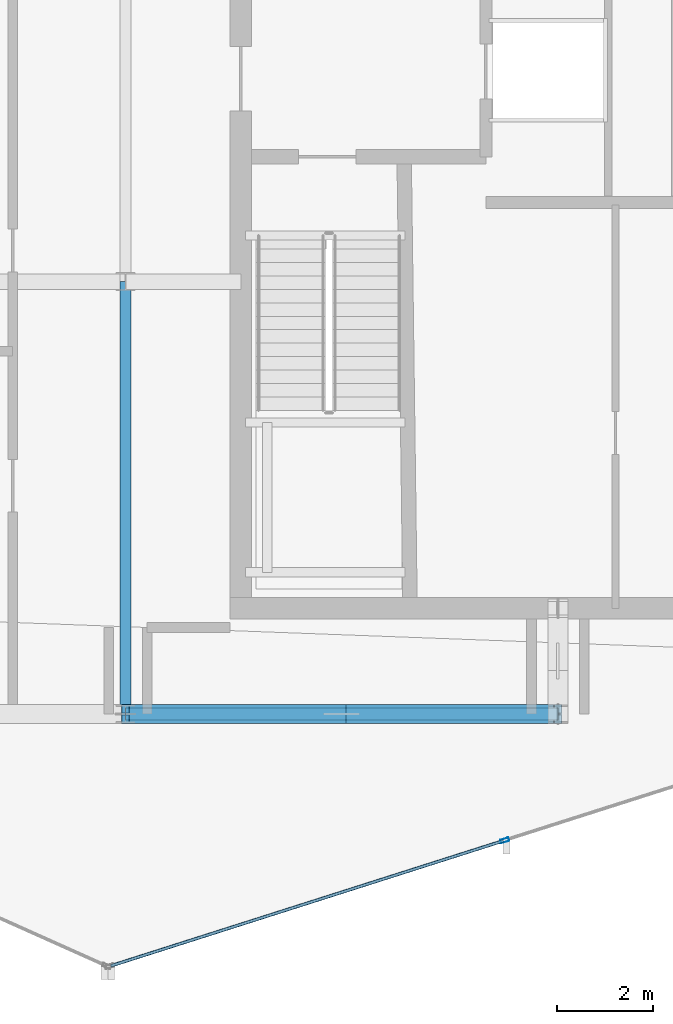
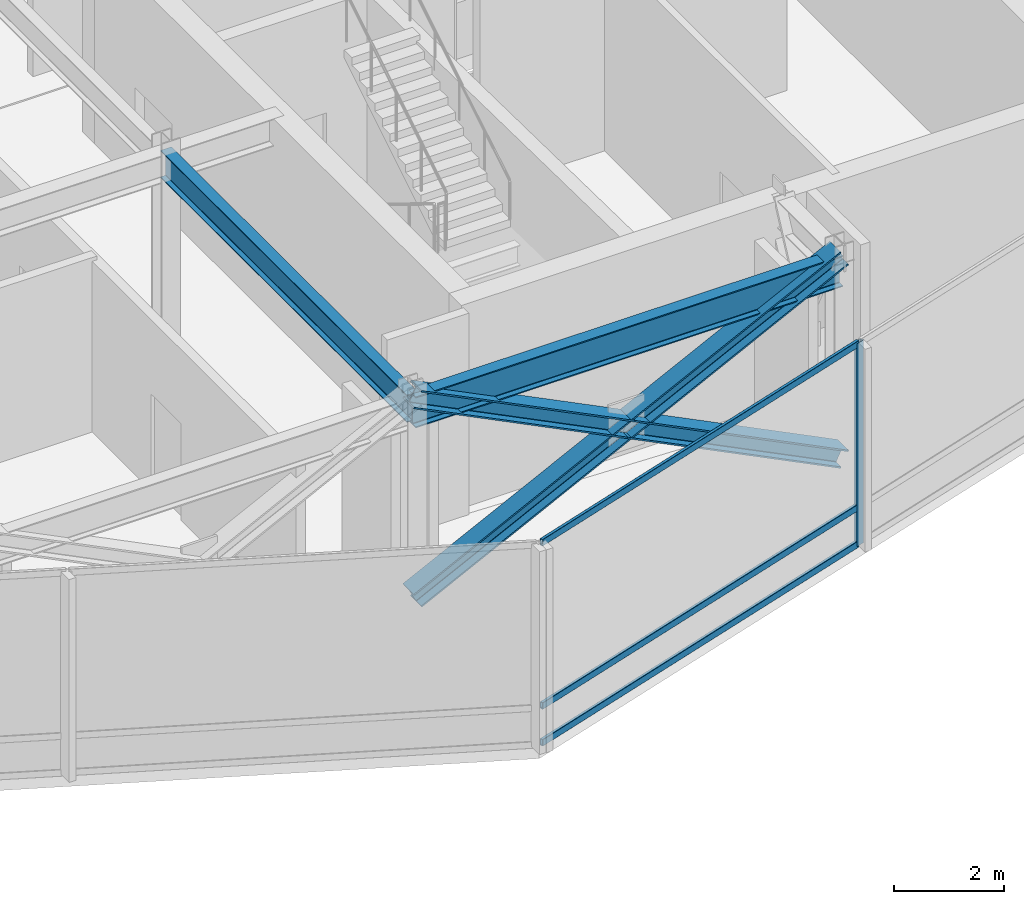
# One storey, part 4 of 23: 7 members, 2 beams, 1 element without a shape of its own.
"""IFC4 building model written with IfcOpenShell, lengths in metres."""

from ifc_helpers import new_model, si_unit, direction, frame, origin, origin_2d, place, context, subcontext, project, spatial, hollow_rectangle, i_section, extrude, material, layer, layer_set, material_profile, profile_set, type_object, element, aggregate, save


model = new_model("IFC4")

# Units and contexts
model_context = context("Model", 3, precision=1e-05, world=origin(), true_north=direction((0.0, 1.0)))
body_context = subcontext(model_context, "Body", "Model", "MODEL_VIEW")
ifc_project = project(units=[si_unit("LENGTHUNIT", "METRE"), si_unit("AREAUNIT", "SQUARE_METRE"), si_unit("VOLUMEUNIT", "CUBIC_METRE"), si_unit("PLANEANGLEUNIT", "RADIAN"), si_unit("MASSUNIT", "GRAM", prefix="KILO")], contexts=[model_context])

# Site, building, storey
site_placement = place(None, origin())
site = spatial("IfcSite", under=ifc_project, at=site_placement, CompositionType="ELEMENT")
building_placement = place(site_placement, origin())
building = spatial("IfcBuilding", under=site, at=building_placement, Name="Solvaryn Broadcast Tower", CompositionType="ELEMENT")
storey_placement = place(building_placement, frame((0.0, 0.0, 285.199951171875)))
storey = spatial("IfcBuildingStorey", under=building, at=storey_placement, Name="L72", CompositionType="ELEMENT", Elevation=285.199951171875)

# Beams
ifc_material_1 = material(Name="Steel ASTM A992 Grade 50", Category="steel")
ifc_material_profile_1 = material_profile(ifc_material_1, i_section(OverallWidth=0.22802734375, OverallDepth=0.60791015625, WebThickness=0.01123046875, FlangeThickness=0.017333984375, FilletRadius=0.014892578125, at=origin_2d()))
ifc_profile_set_1 = profile_set([ifc_material_profile_1], Name="Steel ASTM A992 Grade 50")
beam_type_1 = type_object("IfcBeamType", Name="BM-B2-W24X76", PredefinedType="BEAM", material=ifc_profile_set_1)
beam_1_placement = place(storey_placement, frame((27.0, 9.0, 4.216064453125), z_axis=(0.0, 1.0, 0.0), x_axis=(-1.0, 0.0, 0.0)))
element("IfcBeam", 1, at=beam_1_placement, inside=storey, type_object=beam_type_1, Name="L72 Primary Beam Y (9-18 @ X=27)", PredefinedType="BEAM", context=body_context, shape_type="SweptSolid", body=[
    extrude(i_section(OverallWidth=0.22802734375, OverallDepth=0.60791015625, WebThickness=0.01123046875, FlangeThickness=0.017333984375, FilletRadius=0.014892578125, at=origin_2d()), origin(), (0.0, 0.0, 1.0), 9.0),
])
ifc_material_2 = material(Name="Steel ASTM A992 Grade 50", Category="steel")
ifc_material_profile_2 = material_profile(ifc_material_2, i_section(OverallWidth=0.256103515625, OverallDepth=0.693115234375, WebThickness=0.014404296875, FlangeThickness=0.023681640625, FilletRadius=0.01611328125, at=origin_2d()))
ifc_profile_set_2 = profile_set([ifc_material_profile_2], Name="Steel ASTM A992 Grade 50")
beam_type_2 = type_object("IfcBeamType", Name="BM-SP3-W27X114", PredefinedType="USERDEFINED", material=ifc_profile_set_2)
beam_2_placement = place(storey_placement, frame((27.0, 9.0, 4.173583984375), z_axis=(1.0, 0.0, 0.0), x_axis=(0.0, 1.0, 0.0)))
element("IfcBeam", 2, at=beam_2_placement, inside=storey, type_object=beam_type_2, Name="L72 Spandrel Beam X (27-36 @ Y=9)", ObjectType="SPANDREL", PredefinedType="USERDEFINED", context=body_context, shape_type="SweptSolid", body=[
    extrude(i_section(OverallWidth=0.256103515625, OverallDepth=0.693115234375, WebThickness=0.014404296875, FlangeThickness=0.023681640625, FilletRadius=0.01611328125, at=origin_2d()), origin(), (0.0, 0.0, 1.0), 9.0),
])

# Curtain wall, members
ifc_material_3 = material(Name="Aluminium and Terracotta Unitised Curtain Wall", Category="masonry")
ifc_layer = layer(ifc_material_3, 0.199951171875)
ifc_layer_set = layer_set([ifc_layer], Name="CW-SYS2-LOWMID")
curtain_wall_type = type_object("IfcCurtainWallType", Name="CW-SYS2-LOWMID", PredefinedType="NOTDEFINED", material=ifc_layer_set)
curtain_wall_placement = place(storey_placement, origin())
curtain_wall = element("IfcCurtainWall", 3, at=curtain_wall_placement, inside=storey, type_object=curtain_wall_type, Name="L72 Curtain Wall DR4", PredefinedType="NOTDEFINED")
ifc_material_4 = material(Name="Anodised Aluminium 6063-T6", Category="aluminium")
ifc_material_profile_3 = material_profile(ifc_material_4, hollow_rectangle(XDim=0.074951171875, YDim=0.179931640625, WallThickness=0.00390625, InnerFilletRadius=0.00390625, OuterFilletRadius=0.008056640625, at=origin_2d()))
ifc_profile_set_3 = profile_set([ifc_material_profile_3], Name="Anodised Aluminium 6063-T6")
member_type_1 = type_object("IfcMemberType", Name="CW-MUL-180", PredefinedType="MULLION", material=ifc_profile_set_3)
member_1_placement = place(storey_placement, frame((34.892578125, 6.368896484375, 0.0), z_axis=(0.0, 0.0, 1.0), x_axis=(-0.30361564569, 0.952794594701, 0.0)))
member_1 = element("IfcMember", 4, at=member_1_placement, type_object=member_type_1, Name="CWS2 mullion 2", PredefinedType="MULLION", context=body_context, shape_type="SweptSolid", body=[
    extrude(hollow_rectangle(XDim=0.074951171875, YDim=0.179931640625, WallThickness=0.00390625, InnerFilletRadius=0.00390625, OuterFilletRadius=0.008056640625, at=origin_2d()), origin(), (0.0, 0.0, 1.0), 4.52001953125),
])
ifc_material_5 = material(Name="Anodised Aluminium 6063-T6", Category="aluminium")
ifc_material_profile_4 = material_profile(ifc_material_5, hollow_rectangle(XDim=0.06494140625, YDim=0.14990234375, WallThickness=0.00390625, InnerFilletRadius=0.00390625, OuterFilletRadius=0.008056640625, at=origin_2d()))
ifc_profile_set_4 = profile_set([ifc_material_profile_4], Name="Anodised Aluminium 6063-T6")
member_type_2 = type_object("IfcMemberType", Name="CW-TRN-150", PredefinedType="USERDEFINED", material=ifc_profile_set_4)
member_2_placement = place(storey_placement, frame((26.693115234375, 3.756103515625, 0.030029296875), z_axis=(0.952793333402, 0.303619603822, 0.0), x_axis=(-0.303619603822, 0.952793333402, 0.0)))
member_2 = element("IfcMember", 5, at=member_2_placement, type_object=member_type_2, Name="CWS2 transom 1.1", ObjectType="TRANSOM", PredefinedType="USERDEFINED", context=body_context, shape_type="SweptSolid", body=[
    extrude(hollow_rectangle(XDim=0.06494140625, YDim=0.14990234375, WallThickness=0.00390625, InnerFilletRadius=0.00390625, OuterFilletRadius=0.008056640625, at=origin_2d()), origin(), (0.0, 0.0, 1.0), 8.57568359375),
])
member_3_placement = place(storey_placement, frame((26.693115234375, 3.756103515625, 0.85009765625), z_axis=(0.952793333402, 0.303619603822, 0.0), x_axis=(-0.303619603822, 0.952793333402, 0.0)))
member_3 = element("IfcMember", 6, at=member_3_placement, type_object=member_type_2, Name="CWS2 transom 1.2", ObjectType="TRANSOM", PredefinedType="USERDEFINED", context=body_context, shape_type="SweptSolid", body=[
    extrude(hollow_rectangle(XDim=0.06494140625, YDim=0.14990234375, WallThickness=0.00390625, InnerFilletRadius=0.00390625, OuterFilletRadius=0.008056640625, at=origin_2d()), origin(), (0.0, 0.0, 1.0), 8.57568359375),
])
member_4_placement = place(storey_placement, frame((26.693115234375, 3.756103515625, 4.489990234375), z_axis=(0.952793333402, 0.303619603822, 0.0), x_axis=(-0.303619603822, 0.952793333402, 0.0)))
member_4 = element("IfcMember", 7, at=member_4_placement, type_object=member_type_2, Name="CWS2 transom 1.3", ObjectType="TRANSOM", PredefinedType="USERDEFINED", context=body_context, shape_type="SweptSolid", body=[
    extrude(hollow_rectangle(XDim=0.06494140625, YDim=0.14990234375, WallThickness=0.00390625, InnerFilletRadius=0.00390625, OuterFilletRadius=0.008056640625, at=origin_2d()), origin(), (0.0, 0.0, 1.0), 8.57568359375),
])
aggregate(curtain_wall, [member_1, member_2, member_3, member_4])

# Members
ifc_material_6 = material(Name="Steel ASTM A913 Grade 65", Category="steel")
ifc_material_profile_5 = material_profile(ifc_material_6, i_section(OverallWidth=0.39697265625, OverallDepth=0.386962890625, WebThickness=0.02099609375, FlangeThickness=0.033203125, FilletRadius=0.014892578125, at=origin_2d()))
ifc_profile_set_5 = profile_set([ifc_material_profile_5], Name="Steel ASTM A913 Grade 65")
member_type_3 = type_object("IfcMemberType", Name="MB-BELT-2", PredefinedType="BRACE", material=ifc_profile_set_5)
member_5_placement = place(storey_placement, frame((27.0, 9.0, 0.02001953125), z_axis=(0.895222302563, 0.0, 0.44561982563), x_axis=(0.0, 1.0, 0.0)))
element("IfcMember", 8, at=member_5_placement, inside=storey, type_object=member_type_3, Name="L72 South Belt X-Brace 4 Continuous Diagonal", PredefinedType="BRACE", context=body_context, shape_type="SweptSolid", body=[
    extrude(i_section(OverallWidth=0.39697265625, OverallDepth=0.386962890625, WebThickness=0.02099609375, FlangeThickness=0.033203125, FilletRadius=0.014892578125, at=origin_2d()), origin(), (0.0, 0.0, 1.0), 10.053466796875),
])
for number, where, z_axis, x_axis, name in (
    (9, (36.0, 9.0, 0.02001953125), (-0.895222302563, 0.0, 0.44561982563), (0.0, -1.0, 0.0), "L72 South Belt X-Brace 4 Split Diagonal Lower"),
    (10, (31.5, 9.0, 2.260009765625), (-0.895222302563, 0.0, 0.44561982563), (0.0, -1.0, 0.0), "L72 South Belt X-Brace 4 Split Diagonal Upper"),
):
    element("IfcMember", number, at=place(storey_placement, frame(where, z_axis=z_axis, x_axis=x_axis)), inside=storey, type_object=member_type_3, Name=name, PredefinedType="BRACE", context=body_context, shape_type="SweptSolid", body=[
        extrude(i_section(OverallWidth=0.39697265625, OverallDepth=0.386962890625, WebThickness=0.02099609375, FlangeThickness=0.033203125, FilletRadius=0.014892578125, at=origin_2d()), origin(), (0.0, 0.0, 1.0), 5.026611328125),
    ])

save(model, "model.ifc")
